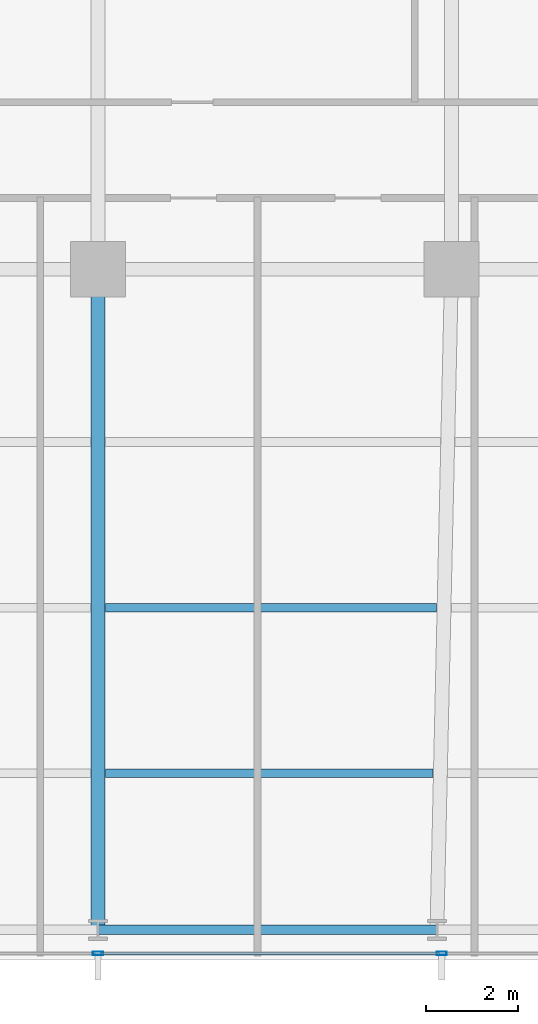
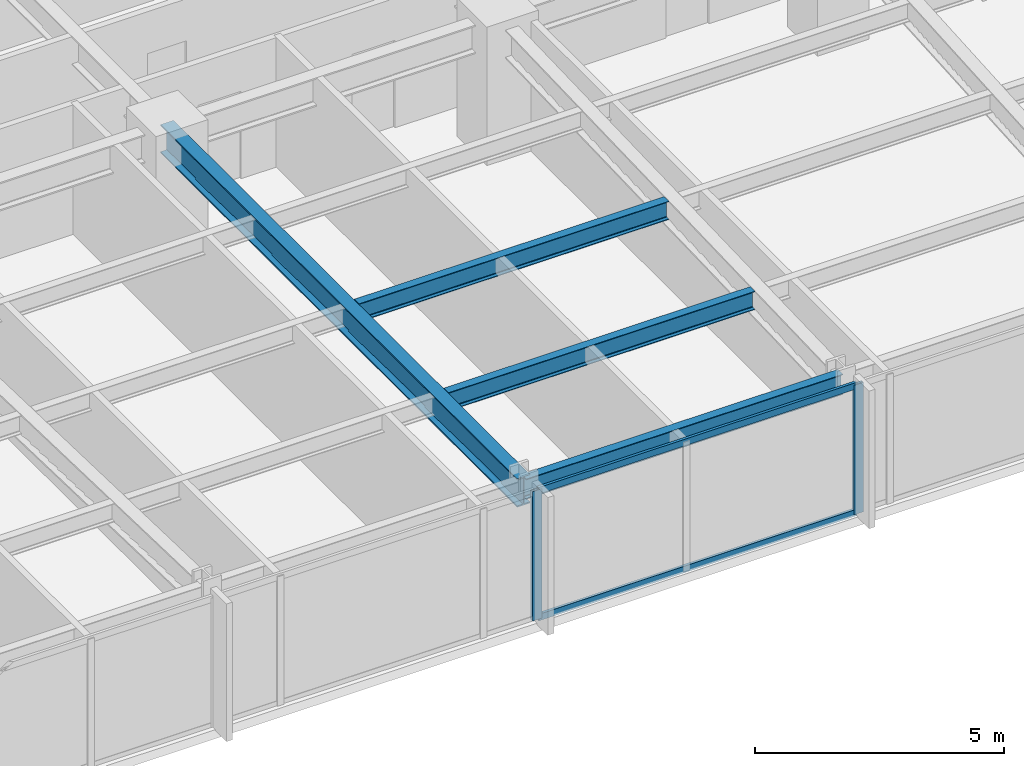
# One storey, part 11 of 32: 4 beams, 4 members, 1 element without a shape of its own.
"""IFC4 building model written with IfcOpenShell, lengths in metres."""

import ifcopenshell
import ifcopenshell.guid

model = None  # the IFC model being written
_history = None  # IfcOwnerHistory: only IFC2X3 demands one
_inside = {}  # id of a spatial element -> (the spatial element, [elements in it])
_under = {}  # id of a project, library or spatial element -> (it, [spatial elements below it])
_declared = {}  # id of a project -> (the project, [libraries it declares])
_typed = {}  # id of a type object -> (the type object, [elements of that type])
_made_of = {}  # id of a material, layer set ... -> (it, [elements and type objects made of it])


def new_model(schema):
    """Start an empty IFC model of exactly this schema.

    Asked for "IFC4X3", IfcOpenShell would pick the latest addendum, in which some entities
    have other attributes; the version numbers below select the first issue.
    IFC2X3 requires an IfcOwnerHistory on every rooted entity: one is made here for all.
    """
    global model, _history
    if schema == "IFC4X3":
        model = ifcopenshell.file(schema_version=(4, 3, 0, 0))
    else:
        model = ifcopenshell.file(schema=schema)
    _inside.clear()
    _under.clear()
    _declared.clear()
    _typed.clear()
    _made_of.clear()
    _history = None
    if model.schema == "IFC2X3":
        org = make("IfcOrganization", Name="unknown")
        user = make(
            "IfcPersonAndOrganization",
            ThePerson=make("IfcPerson", FamilyName="unknown"),
            TheOrganization=org,
        )
        app = make(
            "IfcApplication",
            ApplicationDeveloper=org,
            Version="unknown",
            ApplicationFullName="unknown",
            ApplicationIdentifier="unknown",
        )
        _history = make(
            "IfcOwnerHistory",
            OwningUser=user,
            OwningApplication=app,
            ChangeAction="ADDED",
            CreationDate=0,
        )
    return model


def make(cls, **values):
    """One entity of the class cls with the attributes given. An attribute that is None is left unset."""
    return model.create_entity(
        cls, **{name: value for name, value in values.items() if value is not None}
    )


def rooted(cls, **values):
    """An entity with a GlobalId (a new one), such as an element, a storey or a relation."""
    return make(cls, GlobalId=ifcopenshell.guid.new(), OwnerHistory=_history, **values)


def si_unit(unit_type, name, prefix=None):
    """IfcSIUnit, for example si_unit("LENGTHUNIT", "METRE", prefix="MILLI")."""
    return make("IfcSIUnit", UnitType=unit_type, Prefix=prefix, Name=name)


def assignment(units):
    """IfcUnitAssignment: the units of a project."""
    return None if units is None else make("IfcUnitAssignment", Units=units)


def point(xyz):
    """IfcCartesianPoint."""
    return None if xyz is None else make("IfcCartesianPoint", Coordinates=xyz)


def direction(xyz):
    """IfcDirection."""
    return None if xyz is None else make("IfcDirection", DirectionRatios=xyz)


def frame(location, z_axis=None, x_axis=None):
    """IfcAxis2Placement3D, a coordinate frame: its origin and axes. An axis left out is left unset."""
    return make(
        "IfcAxis2Placement3D",
        Location=point(location),
        Axis=direction(z_axis),
        RefDirection=direction(x_axis),
    )


def frame_2d(location, x_axis=None):
    """IfcAxis2Placement2D, a coordinate frame in the plane: its origin and x axis."""
    return make(
        "IfcAxis2Placement2D", Location=point(location), RefDirection=direction(x_axis)
    )


def origin():
    """The frame at (0, 0, 0) with its axes left unset."""
    return frame((0.0, 0.0, 0.0))


def origin_2d():
    """The frame at (0, 0) in the plane with its x axis left unset."""
    return frame_2d((0.0, 0.0))


def place(relative_to, where):
    """IfcLocalPlacement: puts the frame where relative to a parent placement (None: the world)."""
    return make(
        "IfcLocalPlacement", PlacementRelTo=relative_to, RelativePlacement=where
    )


def context(
    kind, dimensions, precision=None, world=None, true_north=None, identifier=None
):
    """IfcGeometricRepresentationContext, for example the 3D "Model" context."""
    return make(
        "IfcGeometricRepresentationContext",
        ContextIdentifier=identifier,
        ContextType=kind,
        CoordinateSpaceDimension=dimensions,
        Precision=precision,
        WorldCoordinateSystem=world,
        TrueNorth=true_north,
    )


def subcontext(parent, identifier, kind, view, scale=None):
    """IfcGeometricRepresentationSubContext, for example "Body" below "Model"."""
    return make(
        "IfcGeometricRepresentationSubContext",
        ContextIdentifier=identifier,
        ContextType=kind,
        ParentContext=parent,
        TargetScale=scale,
        TargetView=view,
    )


def project(units=None, contexts=None):
    """IfcProject with its units and contexts."""
    return rooted(
        "IfcProject",
        Name="project",
        RepresentationContexts=contexts,
        UnitsInContext=assignment(units),
    )


def spatial(cls, under=None, at=None, **own):
    """A site, building, storey or space (cls), placed at a placement, below another one or the project."""
    s = rooted(cls, ObjectPlacement=at, **own)
    if under is not None:
        _under.setdefault(under.id(), (under, []))[1].append(s)
    return s


def profile(cls, at=None, kind="AREA", **sizes):
    """A parametric profile (cls). Its sizes go by their IFC names, for example OverallWidth=200.0."""
    return make(cls, ProfileType=kind, Position=at, **sizes)


def hollow_rectangle(**sizes):
    """IfcRectangleHollowProfileDef."""
    return profile("IfcRectangleHollowProfileDef", **sizes)


def i_section(**sizes):
    """IfcIShapeProfileDef."""
    return profile("IfcIShapeProfileDef", **sizes)


def extrude(swept, where, along, depth):
    """IfcExtrudedAreaSolid: the profile swept, set in the frame where, extruded along a direction by depth."""
    return make(
        "IfcExtrudedAreaSolid",
        SweptArea=swept,
        Position=where,
        ExtrudedDirection=direction(along),
        Depth=depth,
    )


def shape(context_of_items, identifier, shape_type, items):
    """IfcShapeRepresentation: the items that make up one representation, for example the "Body"."""
    return make(
        "IfcShapeRepresentation",
        ContextOfItems=context_of_items,
        RepresentationIdentifier=identifier,
        RepresentationType=shape_type,
        Items=items,
    )


def material(Name=None, Category=None):
    """IfcMaterial."""
    return make("IfcMaterial", Name=Name, Category=Category)


def material_profile(
    of_material, cross_section, Name=None, Category=None, Priority=None
):
    """IfcMaterialProfile: a cross section and its material."""
    return make(
        "IfcMaterialProfile",
        Name=Name,
        Material=of_material,
        Profile=cross_section,
        Priority=Priority,
        Category=Category,
    )


def profile_set(profiles, Name=None, composite=None):
    """IfcMaterialProfileSet."""
    return make(
        "IfcMaterialProfileSet",
        Name=Name,
        MaterialProfiles=profiles,
        CompositeProfile=composite,
    )


def made_of(thing, what):
    """Note that an element or type object is made of a material, layer set ...; save() writes the relation."""
    if what is not None:
        _made_of.setdefault(what.id(), (what, []))[1].append(thing)
    return thing


def type_object(cls, material=None, **own):
    """A type object (cls), such as IfcWallType, which elements share."""
    return made_of(rooted(cls, **own), material)


def element(
    cls,
    number,
    at=None,
    inside=None,
    cuts=None,
    type_object=None,
    material=None,
    context=None,
    identifier="Body",
    shape_type=None,
    held_by="IfcProductDefinitionShape",
    body=None,
    shapes=None,
    **own,
):
    """One element of the class cls, such as IfcWall. Its Tag is "e" and its number.

    at: its placement. inside: the storey or other place that contains it. cuts: it is an
    opening in that element (IfcRelVoidsElement). A single representation is given by context,
    identifier, shape_type and body (its items); several are given by shapes. held_by: the class
    of the entity that holds the representations. save() writes the other relations.
    """
    e = rooted(cls, Tag="e%d" % number, ObjectPlacement=at, **own)
    if body is not None:
        shapes = [shape(context, identifier, shape_type, body)]
    if shapes is not None:
        e.Representation = make(held_by, Representations=shapes)
    if inside is not None:
        _inside.setdefault(inside.id(), (inside, []))[1].append(e)
    if cuts is not None:
        rooted(
            "IfcRelVoidsElement", RelatingBuildingElement=cuts, RelatedOpeningElement=e
        )
    if type_object is not None:
        _typed.setdefault(type_object.id(), (type_object, []))[1].append(e)
    return made_of(e, material)


def aggregate(whole, parts):
    """IfcRelAggregates: a whole, such as a stair, and the parts it consists of."""
    return rooted("IfcRelAggregates", RelatingObject=whole, RelatedObjects=parts)


def save(model, path):
    """Write the relations noted so far, then the file.

    IfcRelAggregates (storeys below a building ...), IfcRelContainedInSpatialStructure (elements
    in a storey), IfcRelDefinesByType, IfcRelAssociatesMaterial and IfcRelDeclares: one each for
    every whole, place, type object, material and project.
    """
    for whole, parts in _under.values():
        aggregate(whole, parts)
    for where, things in _inside.values():
        rooted(
            "IfcRelContainedInSpatialStructure",
            RelatedElements=things,
            RelatingStructure=where,
        )
    for kind, things in _typed.values():
        rooted("IfcRelDefinesByType", RelatedObjects=things, RelatingType=kind)
    for what, things in _made_of.values():
        rooted("IfcRelAssociatesMaterial", RelatedObjects=things, RelatingMaterial=what)
    for by, libraries in _declared.values():
        rooted("IfcRelDeclares", RelatingContext=by, RelatedDefinitions=libraries)
    model.write(path)


model = new_model("IFC4")

# Units and contexts
model_context = context("Model", 3, precision=1e-05, world=origin(), true_north=direction((0.0, 1.0)))
body_context = subcontext(model_context, "Body", "Model", "MODEL_VIEW")
ifc_project = project(units=[si_unit("LENGTHUNIT", "METRE"), si_unit("AREAUNIT", "SQUARE_METRE"), si_unit("VOLUMEUNIT", "CUBIC_METRE"), si_unit("PLANEANGLEUNIT", "RADIAN"), si_unit("MASSUNIT", "GRAM", prefix="KILO")], contexts=[model_context])

# Site, building, storey
site_placement = place(None, origin())
site = spatial("IfcSite", under=ifc_project, at=site_placement, CompositionType="ELEMENT")
building_placement = place(site_placement, origin())
building = spatial("IfcBuilding", under=site, at=building_placement, Name="Yelkora Congress Tower", CompositionType="ELEMENT")
storey_placement = place(building_placement, frame((0.0, 0.0, 61.0)))
storey = spatial("IfcBuildingStorey", under=building, at=storey_placement, Name="L15", CompositionType="ELEMENT", Elevation=61.0)

# Beams
ifc_material_1 = material(Name="Steel S355J2", Category="steel")
ifc_material_profile_1 = material_profile(ifc_material_1, i_section(OverallWidth=0.300048828125, OverallDepth=0.699951171875, WebThickness=0.01708984375, FlangeThickness=0.031982421875, FilletRadius=0.027099609375, at=origin_2d()), Name="HEB 700")
ifc_profile_set_1 = profile_set([ifc_material_profile_1], Name="Steel S355J2")
beam_type_1 = type_object("IfcBeamType", Name="BM-GIRD-HEB700", PredefinedType="BEAM", material=ifc_profile_set_1)
beam_1_placement = place(storey_placement, frame((38.39990234375, 10.85009765625, 2.830078125), z_axis=(0.0, 1.0, 0.0), x_axis=(-1.0, 0.0, 0.0)))
element("IfcBeam", 1, at=beam_1_placement, inside=storey, type_object=beam_type_1, Name="L15 Primary Frame Girder S05", PredefinedType="BEAM", context=body_context, shape_type="SweptSolid", body=[
    extrude(i_section(OverallWidth=0.300048828125, OverallDepth=0.699951171875, WebThickness=0.01708984375, FlangeThickness=0.031982421875, FilletRadius=0.027099609375, at=origin_2d()), origin(), (0.0, 0.0, 1.0), 14.349853515625),
])
ifc_material_profile_2 = material_profile(ifc_material_1, i_section(OverallWidth=0.18994140625, OverallDepth=0.449951171875, WebThickness=0.009521484375, FlangeThickness=0.0146484375, FilletRadius=0.02099609375, at=origin_2d()), Name="IPE 450")
ifc_profile_set_2 = profile_set([ifc_material_profile_2], Name="Steel S355J2")
beam_type_2 = type_object("IfcBeamType", Name="BM-JOIST-IPE450", PredefinedType="JOIST", material=ifc_profile_set_2)
beam_2_placement = place(storey_placement, frame((38.56005859375, 14.25, 2.955078125), z_axis=(1.0, 0.0, 0.0), x_axis=(0.0, 1.0, 0.0)))
element("IfcBeam", 2, at=beam_2_placement, inside=storey, type_object=beam_type_2, Name="L15 Composite Floor Joist 5", PredefinedType="JOIST", context=body_context, shape_type="SweptSolid", body=[
    extrude(i_section(OverallWidth=0.18994140625, OverallDepth=0.449951171875, WebThickness=0.009521484375, FlangeThickness=0.0146484375, FilletRadius=0.02099609375, at=origin_2d()), origin(), (0.0, 0.0, 1.0), 7.11767578125),
])
beam_3_placement = place(storey_placement, frame((38.56005859375, 17.85009765625, 2.955078125), z_axis=(1.0, 0.0, 0.0), x_axis=(0.0, 1.0, 0.0)))
element("IfcBeam", 3, at=beam_3_placement, inside=storey, type_object=beam_type_2, Name="L15 Composite Floor Joist 13", PredefinedType="JOIST", context=body_context, shape_type="SweptSolid", body=[
    extrude(i_section(OverallWidth=0.18994140625, OverallDepth=0.449951171875, WebThickness=0.009521484375, FlangeThickness=0.0146484375, FilletRadius=0.02099609375, at=origin_2d()), origin(), (0.0, 0.0, 1.0), 7.197265625),
])
ifc_material_profile_3 = material_profile(ifc_material_1, i_section(OverallWidth=0.199951171875, OverallDepth=0.5, WebThickness=0.01025390625, FlangeThickness=0.01611328125, FilletRadius=0.02099609375, at=origin_2d()), Name="IPE 500")
ifc_profile_set_3 = profile_set([ifc_material_profile_3], Name="Steel S355J2")
beam_type_3 = type_object("IfcBeamType", Name="BM-SPAN-IPE500", PredefinedType="SPANDREL", material=ifc_profile_set_3)
beam_4_placement = place(storey_placement, frame((38.39990234375, 10.85009765625, 2.929931640625), z_axis=(1.0, 0.0, 0.0), x_axis=(0.0, 1.0, 0.0)))
element("IfcBeam", 4, at=beam_4_placement, inside=storey, type_object=beam_type_3, Name="L15 Perimeter Beam 6", PredefinedType="SPANDREL", context=body_context, shape_type="SweptSolid", body=[
    extrude(i_section(OverallWidth=0.199951171875, OverallDepth=0.5, WebThickness=0.01025390625, FlangeThickness=0.01611328125, FilletRadius=0.02099609375, at=origin_2d()), origin(), (0.0, 0.0, 1.0), 7.362548828125),
])

# Curtain wall, members
ifc_material_2 = material(Name="Anodised aluminium and insulated glass", Category="aluminium")
curtain_wall_type = type_object("IfcCurtainWallType", Name="CW-SYS-B1", PredefinedType="NOTDEFINED", material=ifc_material_2)
curtain_wall_placement = place(storey_placement, origin())
curtain_wall = element("IfcCurtainWall", 5, at=curtain_wall_placement, inside=storey, type_object=curtain_wall_type, Name="L15 Unitised Curtain Wall 20", PredefinedType="NOTDEFINED")
ifc_material_3 = material(Name="Anodised aluminium 6063-T6", Category="aluminium")
ifc_material_profile_4 = material_profile(ifc_material_3, hollow_rectangle(XDim=0.074951171875, YDim=0.219970703125, WallThickness=0.0048828125, at=origin_2d()), Name="ALU 75x220x5")
ifc_profile_set_4 = profile_set([ifc_material_profile_4], Name="Anodised aluminium 6063-T6")
member_type_1 = type_object("IfcMemberType", Name="MEM-ML-B1", PredefinedType="MULLION", material=ifc_profile_set_4)
member_1_placement = place(storey_placement, frame((45.864990234375, 10.340087890625, 0.0), z_axis=(0.0, 0.0, 1.0), x_axis=(0.0, -1.0, 0.0)))
member_1 = element("IfcMember", 6, at=member_1_placement, type_object=member_type_1, Name="CW-B1 mullion 4", PredefinedType="MULLION", context=body_context, shape_type="SweptSolid", body=[
    extrude(hollow_rectangle(XDim=0.074951171875, YDim=0.219970703125, WallThickness=0.0048828125, at=origin_2d()), origin(), (0.0, 0.0, 1.0), 3.179931640625),
])
member_2_placement = place(storey_placement, frame((38.39990234375, 10.340087890625, 0.0), z_axis=(0.0, 0.0, 1.0), x_axis=(0.0, -1.0, 0.0)))
member_2 = element("IfcMember", 7, at=member_2_placement, type_object=member_type_1, Name="CW-B1 mullion 5", PredefinedType="MULLION", context=body_context, shape_type="SweptSolid", body=[
    extrude(hollow_rectangle(XDim=0.074951171875, YDim=0.219970703125, WallThickness=0.0048828125, at=origin_2d()), origin(), (0.0, 0.0, 1.0), 3.179931640625),
])
ifc_material_profile_5 = material_profile(ifc_material_3, hollow_rectangle(XDim=0.06494140625, YDim=0.159912109375, WallThickness=0.00390625, at=origin_2d()), Name="ALU 65x160x4")
ifc_profile_set_5 = profile_set([ifc_material_profile_5], Name="Anodised aluminium 6063-T6")
member_type_2 = type_object("IfcMemberType", Name="MEM-TR-B1", PredefinedType="USERDEFINED", material=ifc_profile_set_5)
member_3_placement = place(storey_placement, frame((45.827392578125, 10.340087890625, 0.032470703125), z_axis=(-1.0, 0.0, 0.0), x_axis=(0.0, -1.0, 0.0)))
member_3 = element("IfcMember", 8, at=member_3_placement, type_object=member_type_2, Name="CW-B1 transom 4.1", ObjectType="TRANSOM", PredefinedType="USERDEFINED", context=body_context, shape_type="SweptSolid", body=[
    extrude(hollow_rectangle(XDim=0.06494140625, YDim=0.159912109375, WallThickness=0.00390625, at=origin_2d()), origin(), (0.0, 0.0, 1.0), 7.389892578125),
])
member_4_placement = place(storey_placement, frame((45.827392578125, 10.340087890625, 3.1474609375), z_axis=(-1.0, 0.0, 0.0), x_axis=(0.0, -1.0, 0.0)))
member_4 = element("IfcMember", 9, at=member_4_placement, type_object=member_type_2, Name="CW-B1 transom 4.2", ObjectType="TRANSOM", PredefinedType="USERDEFINED", context=body_context, shape_type="SweptSolid", body=[
    extrude(hollow_rectangle(XDim=0.06494140625, YDim=0.159912109375, WallThickness=0.00390625, at=origin_2d()), origin(), (0.0, 0.0, 1.0), 7.389892578125),
])
aggregate(curtain_wall, [member_1, member_2, member_3, member_4])

save(model, "model.ifc")
